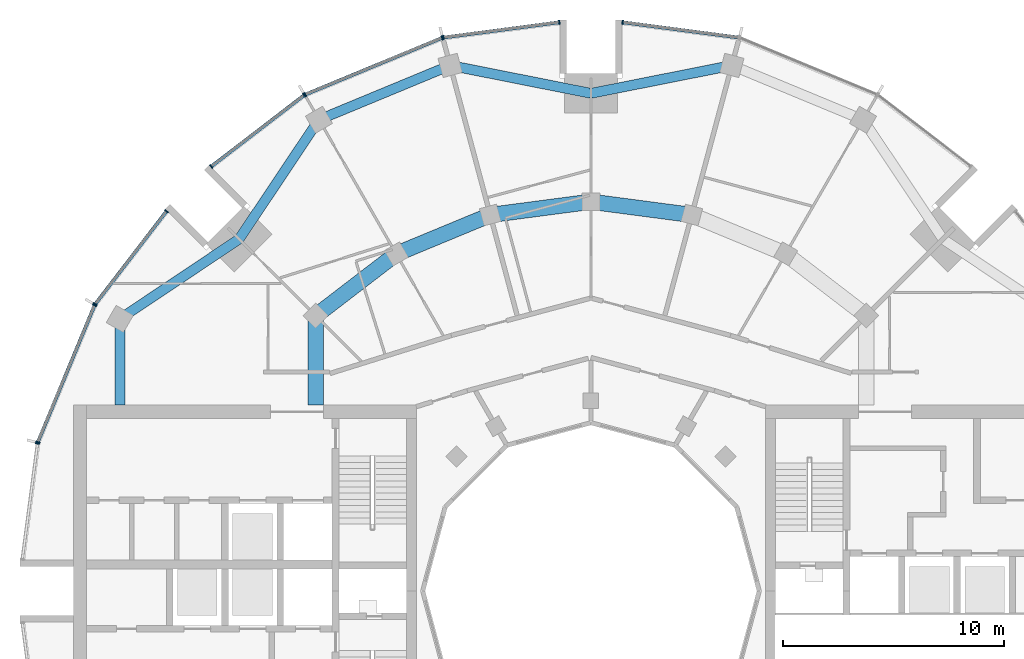
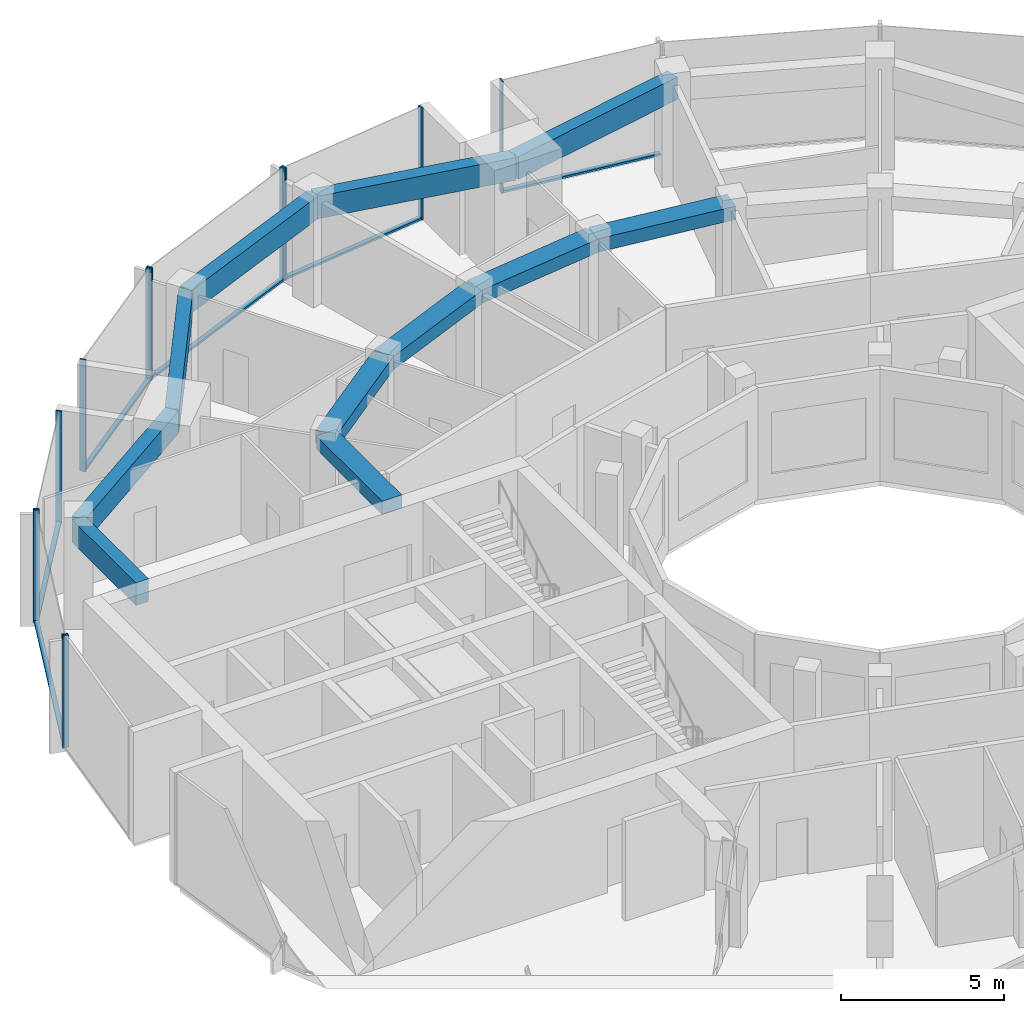
# One storey, part 5 of 15: 18 members, 11 beams, 7 elements without a shape of their own.
"""IFC4 building model written with IfcOpenShell, lengths in metres."""

from ifc_helpers import new_model, si_unit, direction, frame, origin, origin_2d, place, context, subcontext, project, spatial, rectangle, extrude, material, layer, layer_set, material_profile, profile_set, type_object, element, aggregate, save


model = new_model("IFC4")

# Units and contexts
model_context = context("Model", 3, precision=1e-05, world=origin(), true_north=direction((0.0, 1.0)))
body_context = subcontext(model_context, "Body", "Model", "MODEL_VIEW")
ifc_project = project(units=[si_unit("LENGTHUNIT", "METRE"), si_unit("AREAUNIT", "SQUARE_METRE"), si_unit("VOLUMEUNIT", "CUBIC_METRE"), si_unit("PLANEANGLEUNIT", "RADIAN"), si_unit("MASSUNIT", "GRAM", prefix="KILO")], contexts=[model_context])

# Site, building, storey
site_placement = place(None, origin())
site = spatial("IfcSite", under=ifc_project, at=site_placement, CompositionType="ELEMENT")
building_placement = place(site_placement, origin())
building = spatial("IfcBuilding", under=site, at=building_placement, Name="Torre Brocal", CompositionType="ELEMENT")
storey_placement = place(building_placement, frame((0.0, 0.0, 220.89990234375)))
storey = spatial("IfcBuildingStorey", under=building, at=storey_placement, Name="L51", CompositionType="ELEMENT", Elevation=220.89990234375)

# Curtain wall, member
ifc_material_1 = material(Name="Aluminium and glass", Category="aluminium")
ifc_layer_1 = layer(ifc_material_1, 0.199951171875)
ifc_layer_set_1 = layer_set([ifc_layer_1], Name="Aluminium and glass")
curtain_wall_type_1 = type_object("IfcCurtainWallType", Name="CW-1 CURTAIN WALL 4200 HIGH", PredefinedType="NOTDEFINED", material=ifc_layer_set_1)
curtain_wall_1_placement = place(storey_placement, origin())
curtain_wall_1 = element("IfcCurtainWall", 1, at=curtain_wall_1_placement, inside=storey, type_object=curtain_wall_type_1, Name="CW-1 RUN 6", PredefinedType="NOTDEFINED")
ifc_material_2 = material(Name="Aluminium, dark anodised", Category="aluminium")
ifc_material_profile_1 = material_profile(ifc_material_2, rectangle(XDim=0.199951171875, YDim=0.06005859375, at=origin_2d()), Name="CW-1 MULLION 60X200")
ifc_profile_set_1 = profile_set([ifc_material_profile_1], Name="Aluminium, dark anodised")
member_type_1 = type_object("IfcMemberType", Name="CW-1 MULLION 60X200", PredefinedType="MULLION", material=ifc_profile_set_1)
member_1_placement = place(storey_placement, frame((81.4296875, 100.7109375, 0.0), z_axis=(0.0, 0.0, 1.0), x_axis=(-0.13052619222, -0.991444861374, 0.0)))
member_1 = element("IfcMember", 2, at=member_1_placement, type_object=member_type_1, Name="CW1-5 mullion 2", PredefinedType="MULLION", context=body_context, shape_type="SweptSolid", body=[
    extrude(rectangle(XDim=0.199951171875, YDim=0.06005859375, at=origin_2d()), origin(), (0.0, 0.0, 1.0), 4.2001953125),
])

# Curtain wall, members
curtain_wall_2_placement = place(storey_placement, origin())
curtain_wall_2 = element("IfcCurtainWall", 3, at=curtain_wall_2_placement, inside=storey, type_object=curtain_wall_type_1, Name="CW-1 RUN 7", PredefinedType="NOTDEFINED")
member_2_placement = place(storey_placement, frame((78.5703125, 100.7109375, 0.0), z_axis=(0.0, 0.0, 1.0), x_axis=(0.13052619222, -0.991444861374, 0.0)))
member_2 = element("IfcMember", 4, at=member_2_placement, type_object=member_type_1, Name="CW1-5 mullion 1", PredefinedType="MULLION", context=body_context, shape_type="SweptSolid", body=[
    extrude(rectangle(XDim=0.199951171875, YDim=0.06005859375, at=origin_2d()), origin(), (0.0, 0.0, 1.0), 4.2001953125),
])
member_3_placement = place(storey_placement, frame((73.32666015625, 100.0205078125, 0.0), z_axis=(0.0, 0.0, 1.0), x_axis=(0.13052619222, -0.991444861374, 0.0)))
member_3 = element("IfcMember", 5, at=member_3_placement, type_object=member_type_1, Name="CW1-5 mullion 2", PredefinedType="MULLION", context=body_context, shape_type="SweptSolid", body=[
    extrude(rectangle(XDim=0.199951171875, YDim=0.06005859375, at=origin_2d()), origin(), (0.0, 0.0, 1.0), 4.2001953125),
])

curtain_wall_3_placement = place(storey_placement, origin())
curtain_wall_3 = element("IfcCurtainWall", 6, at=curtain_wall_3_placement, inside=storey, type_object=curtain_wall_type_1, Name="CW-1 RUN 8", PredefinedType="NOTDEFINED")
member_4_placement = place(storey_placement, frame((73.26904296875, 100.005126953125, 0.0), z_axis=(0.0, 0.0, 1.0), x_axis=(0.382683432333, -0.923879532525, 0.0)))
member_4 = element("IfcMember", 7, at=member_4_placement, type_object=member_type_1, Name="CW1-5 mullion 1", PredefinedType="MULLION", context=body_context, shape_type="SweptSolid", body=[
    extrude(rectangle(XDim=0.199951171875, YDim=0.06005859375, at=origin_2d()), origin(), (0.0, 0.0, 1.0), 4.2001953125),
])
member_5_placement = place(storey_placement, frame((67.078125, 97.440673828125, 0.0), z_axis=(0.0, 0.0, 1.0), x_axis=(0.382683432333, -0.923879532525, 0.0)))
member_5 = element("IfcMember", 8, at=member_5_placement, type_object=member_type_1, Name="CW1-5 mullion 2", PredefinedType="MULLION", context=body_context, shape_type="SweptSolid", body=[
    extrude(rectangle(XDim=0.199951171875, YDim=0.06005859375, at=origin_2d()), origin(), (0.0, 0.0, 1.0), 4.2001953125),
])

curtain_wall_4_placement = place(storey_placement, origin())
curtain_wall_4 = element("IfcCurtainWall", 9, at=curtain_wall_4_placement, inside=storey, type_object=curtain_wall_type_1, Name="CW-1 RUN 9", PredefinedType="NOTDEFINED")
member_6_placement = place(storey_placement, frame((67.026611328125, 97.4111328125, 0.0), z_axis=(0.0, 0.0, 1.0), x_axis=(0.60876142905, -0.793353340259, 0.0)))
member_6 = element("IfcMember", 10, at=member_6_placement, type_object=member_type_1, Name="CW1-5 mullion 1", PredefinedType="MULLION", context=body_context, shape_type="SweptSolid", body=[
    extrude(rectangle(XDim=0.199951171875, YDim=0.06005859375, at=origin_2d()), origin(), (0.0, 0.0, 1.0), 4.2001953125),
])
member_7_placement = place(storey_placement, frame((62.83056640625, 94.19140625, 0.0), z_axis=(0.0, 0.0, 1.0), x_axis=(0.60876142905, -0.793353340259, 0.0)))
member_7 = element("IfcMember", 11, at=member_7_placement, type_object=member_type_1, Name="CW1-5 mullion 2", PredefinedType="MULLION", context=body_context, shape_type="SweptSolid", body=[
    extrude(rectangle(XDim=0.199951171875, YDim=0.06005859375, at=origin_2d()), origin(), (0.0, 0.0, 1.0), 4.2001953125),
])

curtain_wall_5_placement = place(storey_placement, origin())
curtain_wall_5 = element("IfcCurtainWall", 12, at=curtain_wall_5_placement, inside=storey, type_object=curtain_wall_type_1, Name="CW-1 RUN 10", PredefinedType="NOTDEFINED")
member_8_placement = place(storey_placement, frame((60.80859375, 92.16943359375, 0.0), z_axis=(0.0, 0.0, 1.0), x_axis=(0.793353340259, -0.60876142905, 0.0)))
member_8 = element("IfcMember", 13, at=member_8_placement, type_object=member_type_1, Name="CW1-5 mullion 1", PredefinedType="MULLION", context=body_context, shape_type="SweptSolid", body=[
    extrude(rectangle(XDim=0.199951171875, YDim=0.06005859375, at=origin_2d()), origin(), (0.0, 0.0, 1.0), 4.2001953125),
])
member_9_placement = place(storey_placement, frame((57.5888671875, 87.973388671875, 0.0), z_axis=(0.0, 0.0, 1.0), x_axis=(0.793353340259, -0.60876142905, 0.0)))
member_9 = element("IfcMember", 14, at=member_9_placement, type_object=member_type_1, Name="CW1-5 mullion 2", PredefinedType="MULLION", context=body_context, shape_type="SweptSolid", body=[
    extrude(rectangle(XDim=0.199951171875, YDim=0.06005859375, at=origin_2d()), origin(), (0.0, 0.0, 1.0), 4.2001953125),
])

curtain_wall_6_placement = place(storey_placement, origin())
curtain_wall_6 = element("IfcCurtainWall", 15, at=curtain_wall_6_placement, inside=storey, type_object=curtain_wall_type_1, Name="CW-1 RUN 11", PredefinedType="NOTDEFINED")
member_10_placement = place(storey_placement, frame((57.559326171875, 87.921875, 0.0), z_axis=(0.0, 0.0, 1.0), x_axis=(0.923879532525, -0.382683432333, 0.0)))
member_10 = element("IfcMember", 16, at=member_10_placement, type_object=member_type_1, Name="CW1-5 mullion 1", PredefinedType="MULLION", context=body_context, shape_type="SweptSolid", body=[
    extrude(rectangle(XDim=0.199951171875, YDim=0.06005859375, at=origin_2d()), origin(), (0.0, 0.0, 1.0), 4.2001953125),
])
member_11_placement = place(storey_placement, frame((54.994873046875, 81.73095703125, 0.0), z_axis=(0.0, 0.0, 1.0), x_axis=(0.923879532525, -0.382683432333, 0.0)))
member_11 = element("IfcMember", 17, at=member_11_placement, type_object=member_type_1, Name="CW1-5 mullion 2", PredefinedType="MULLION", context=body_context, shape_type="SweptSolid", body=[
    extrude(rectangle(XDim=0.199951171875, YDim=0.06005859375, at=origin_2d()), origin(), (0.0, 0.0, 1.0), 4.2001953125),
])

# Member
ifc_material_3 = material(Name="Aluminium, dark anodised", Category="aluminium")
ifc_material_profile_2 = material_profile(ifc_material_3, rectangle(XDim=0.159912109375, YDim=0.080078125, at=origin_2d()), Name="CW-1 TRANSOM 160X80")
ifc_profile_set_2 = profile_set([ifc_material_profile_2], Name="Aluminium, dark anodised")
member_type_2 = type_object("IfcMemberType", Name="CW-1 TRANSOM 160X80", PredefinedType="USERDEFINED", material=ifc_profile_set_2)
member_12_placement = place(storey_placement, frame((86.643798828125, 100.0244140625, 0.0400390625), z_axis=(-0.991442690863, 0.130542677827, 0.0), x_axis=(-0.130542677827, -0.991442690863, 0.0)))
member_12 = element("IfcMember", 18, at=member_12_placement, type_object=member_type_2, Name="CW1-5 transom 1.1", ObjectType="TRANSOM", PredefinedType="USERDEFINED", context=body_context, shape_type="SweptSolid", body=[
    extrude(rectangle(XDim=0.159912109375, YDim=0.080078125, at=origin_2d()), origin(), (0.0, 0.0, 1.0), 5.22900390625),
])

aggregate(curtain_wall_1, [member_1, member_12])

member_13_placement = place(storey_placement, frame((78.54052734375, 100.70703125, 0.0400390625), z_axis=(-0.991442690863, -0.130542677827, 0.0), x_axis=(0.130542677827, -0.991442690863, 0.0)))
member_13 = element("IfcMember", 19, at=member_13_placement, type_object=member_type_2, Name="CW1-5 transom 1.1", ObjectType="TRANSOM", PredefinedType="USERDEFINED", context=body_context, shape_type="SweptSolid", body=[
    extrude(rectangle(XDim=0.159912109375, YDim=0.080078125, at=origin_2d()), origin(), (0.0, 0.0, 1.0), 5.22900390625),
])

aggregate(curtain_wall_2, [member_2, member_3, member_13])

member_14_placement = place(storey_placement, frame((73.241455078125, 99.99365234375, 0.0400390625), z_axis=(-0.923887344364, -0.38266457234, 0.0), x_axis=(0.38266457234, -0.923887344364, 0.0)))
member_14 = element("IfcMember", 20, at=member_14_placement, type_object=member_type_2, Name="CW1-5 transom 1.1", ObjectType="TRANSOM", PredefinedType="USERDEFINED", context=body_context, shape_type="SweptSolid", body=[
    extrude(rectangle(XDim=0.159912109375, YDim=0.080078125, at=origin_2d()), origin(), (0.0, 0.0, 1.0), 6.640869140625),
])

aggregate(curtain_wall_3, [member_4, member_5, member_14])

member_15_placement = place(storey_placement, frame((67.0029296875, 97.392822265625, 0.0400390625), z_axis=(-0.79336281513, -0.60874908096, 0.0), x_axis=(0.60874908096, -0.79336281513, 0.0)))
member_15 = element("IfcMember", 21, at=member_15_placement, type_object=member_type_2, Name="CW1-5 transom 1.1", ObjectType="TRANSOM", PredefinedType="USERDEFINED", context=body_context, shape_type="SweptSolid", body=[
    extrude(rectangle(XDim=0.159912109375, YDim=0.080078125, at=origin_2d()), origin(), (0.0, 0.0, 1.0), 5.22900390625),
])

aggregate(curtain_wall_4, [member_6, member_7, member_15])

member_16_placement = place(storey_placement, frame((60.790283203125, 92.1455078125, 0.0400390625), z_axis=(-0.60874908096, -0.79336281513, 0.0), x_axis=(0.79336281513, -0.60874908096, 0.0)))
member_16 = element("IfcMember", 22, at=member_16_placement, type_object=member_type_2, Name="CW1-5 transom 1.1", ObjectType="TRANSOM", PredefinedType="USERDEFINED", context=body_context, shape_type="SweptSolid", body=[
    extrude(rectangle(XDim=0.159912109375, YDim=0.080078125, at=origin_2d()), origin(), (0.0, 0.0, 1.0), 5.22900390625),
])

aggregate(curtain_wall_5, [member_8, member_9, member_16])

member_17_placement = place(storey_placement, frame((57.547607421875, 87.89404296875, 0.0400390625), z_axis=(-0.38266457234, -0.923887344364, 0.0), x_axis=(0.923887344364, -0.38266457234, 0.0)))
member_17 = element("IfcMember", 23, at=member_17_placement, type_object=member_type_2, Name="CW1-5 transom 1.1", ObjectType="TRANSOM", PredefinedType="USERDEFINED", context=body_context, shape_type="SweptSolid", body=[
    extrude(rectangle(XDim=0.159912109375, YDim=0.080078125, at=origin_2d()), origin(), (0.0, 0.0, 1.0), 6.640869140625),
])

aggregate(curtain_wall_6, [member_10, member_11, member_17])

# Curtain wall, member
ifc_material_4 = material(Name="Aluminium and glass", Category="aluminium")
ifc_layer_2 = layer(ifc_material_4, 0.199951171875)
ifc_layer_set_2 = layer_set([ifc_layer_2], Name="Aluminium and glass")
curtain_wall_type_2 = type_object("IfcCurtainWallType", Name="CW-1B CURTAIN WALL 4200 HIGH", PredefinedType="NOTDEFINED", material=ifc_layer_set_2)
curtain_wall_7_placement = place(storey_placement, origin())
curtain_wall_7 = element("IfcCurtainWall", 24, at=curtain_wall_7_placement, inside=storey, type_object=curtain_wall_type_2, Name="CW-1B RUN 12", PredefinedType="NOTDEFINED")
ifc_material_5 = material(Name="Aluminium, dark anodised", Category="aluminium")
ifc_material_profile_3 = material_profile(ifc_material_5, rectangle(XDim=0.199951171875, YDim=0.06005859375, at=origin_2d()), Name="CW-1B MULLION 60X200")
ifc_profile_set_3 = profile_set([ifc_material_profile_3], Name="Aluminium, dark anodised")
member_type_3 = type_object("IfcMemberType", Name="CW-1B MULLION 60X200", PredefinedType="MULLION", material=ifc_profile_set_3)
member_18_placement = place(storey_placement, frame((54.9794921875, 81.67333984375, 0.0), z_axis=(0.0, 0.0, 1.0), x_axis=(0.991444861374, -0.13052619222, 0.0)))
member_18 = element("IfcMember", 25, at=member_18_placement, type_object=member_type_3, Name="CW1B-5 mullion 1", PredefinedType="MULLION", context=body_context, shape_type="SweptSolid", body=[
    extrude(rectangle(XDim=0.199951171875, YDim=0.06005859375, at=origin_2d()), origin(), (0.0, 0.0, 1.0), 4.2001953125),
])
aggregate(curtain_wall_7, [member_18])

# Beams
ifc_material_6 = material(Name="Concrete C50", Category="concrete")
ifc_material_profile_4 = material_profile(ifc_material_6, rectangle(XDim=0.699951171875, YDim=0.5, at=origin_2d()), Name="RC 700X500")
ifc_profile_set_4 = profile_set([ifc_material_profile_4], Name="Concrete C50")
beam_type_1 = type_object("IfcBeamType", Name="RC BEAM 700X500 C50 TOP 3880", PredefinedType="BEAM", material=ifc_profile_set_4)
for number, where, z_axis, x_axis, name in (
    (26, (84.55517578125, 92.000244140625, 3.630126953125), (-0.991440544449, 0.130558978332, 0.0), (-0.130558978332, -0.991440544449, 0.0), "Beam BT-37"),
    (27, (80.0, 92.60009765625, 3.630126953125), (-0.991440544449, -0.130558978332, 0.0), (0.130558978332, -0.991440544449, 0.0), "Beam BT-37"),
):
    element("IfcBeam", number, at=place(storey_placement, frame(where, z_axis=z_axis, x_axis=x_axis)), inside=storey, type_object=beam_type_1, Name=name, PredefinedType="BEAM", context=body_context, shape_type="SweptSolid", body=[
        extrude(rectangle(XDim=0.699951171875, YDim=0.5, at=origin_2d()), origin(), (0.0, 0.0, 1.0), 4.594482421875),
    ])
beam_1_placement = place(storey_placement, frame((75.44482421875, 92.000244140625, 3.630126953125), z_axis=(-0.923878240166, -0.382686552348, 0.0), x_axis=(0.382686552348, -0.923878240166, 0.0)))
element("IfcBeam", 28, at=beam_1_placement, inside=storey, type_object=beam_type_1, Name="Beam BT-37", PredefinedType="BEAM", context=body_context, shape_type="SweptSolid", body=[
    extrude(rectangle(XDim=0.699951171875, YDim=0.5, at=origin_2d()), origin(), (0.0, 0.0, 1.0), 4.5947265625),
])
beam_2_placement = place(storey_placement, frame((71.199951171875, 90.241943359375, 3.630126953125), z_axis=(-0.793358265959, -0.6087550097, 0.0), x_axis=(0.6087550097, -0.793358265959, 0.0)))
element("IfcBeam", 29, at=beam_2_placement, inside=storey, type_object=beam_type_1, Name="Beam BT-37", PredefinedType="BEAM", context=body_context, shape_type="SweptSolid", body=[
    extrude(rectangle(XDim=0.699951171875, YDim=0.5, at=origin_2d()), origin(), (0.0, 0.0, 1.0), 4.594482421875),
])
beam_3_placement = place(storey_placement, frame((67.554931640625, 87.445068359375, 3.630126953125), z_axis=(0.0, -1.0, 0.0), x_axis=(1.0, 0.0, 0.0)))
element("IfcBeam", 30, at=beam_3_placement, inside=storey, type_object=beam_type_1, Name="Beam BT-37", PredefinedType="BEAM", context=body_context, shape_type="SweptSolid", body=[
    extrude(rectangle(XDim=0.699951171875, YDim=0.5, at=origin_2d()), origin(), (0.0, 0.0, 1.0), 4.045166015625),
])
ifc_material_7 = material(Name="Concrete C50", Category="concrete")
ifc_material_profile_5 = material_profile(ifc_material_7, rectangle(XDim=0.449951171875, YDim=0.85009765625, at=origin_2d()), Name="RC 450X850")
ifc_profile_set_5 = profile_set([ifc_material_profile_5], Name="Concrete C50")
beam_type_2 = type_object("IfcBeamType", Name="RC SPANDREL BEAM 450X850 C50 TOP 3880", PredefinedType="SPANDREL", material=ifc_profile_set_5)
for number, where, z_axis, x_axis, name in (
    (31, (86.366943359375, 98.76171875, 3.455078125), (-0.980924907484, -0.194387051723, 0.0), (0.194387051723, -0.980924907484, 0.0), "Beam BT-38"),
    (32, (80.0, 97.5, 3.455078125), (-0.980924907484, 0.194387051723, 0.0), (-0.194387051723, -0.980924907484, 0.0), "Beam BT-38"),
):
    element("IfcBeam", number, at=place(storey_placement, frame(where, z_axis=z_axis, x_axis=x_axis)), inside=storey, type_object=beam_type_2, Name=name, PredefinedType="SPANDREL", context=body_context, shape_type="SweptSolid", body=[
        extrude(rectangle(XDim=0.449951171875, YDim=0.85009765625, at=origin_2d()), origin(), (0.0, 0.0, 1.0), 6.49072265625),
    ])
beam_4_placement = place(storey_placement, frame((73.633056640625, 98.76171875, 3.455078125), z_axis=(-0.923882462513, -0.382676358639, 0.0), x_axis=(0.382676358639, -0.923882462513, 0.0)))
element("IfcBeam", 33, at=beam_4_placement, inside=storey, type_object=beam_type_2, Name="Beam BT-38", PredefinedType="SPANDREL", context=body_context, shape_type="SweptSolid", body=[
    extrude(rectangle(XDim=0.449951171875, YDim=0.85009765625, at=origin_2d()), origin(), (0.0, 0.0, 1.0), 6.421875),
])
for number, where, z_axis, x_axis, name in (
    (34, (67.699951171875, 96.30419921875, 3.455078125), (-0.556157602282, -0.831076844476, 0.0), (0.831076844476, -0.556157602282, 0.0), "Beam BT-38"),
    (35, (64.090087890625, 90.909912109375, 3.455078125), (-0.831076844476, -0.556157602282, 0.0), (0.556157602282, -0.831076844476, 0.0), "Beam BT-38"),
):
    element("IfcBeam", number, at=place(storey_placement, frame(where, z_axis=z_axis, x_axis=x_axis)), inside=storey, type_object=beam_type_2, Name=name, PredefinedType="SPANDREL", context=body_context, shape_type="SweptSolid", body=[
        extrude(rectangle(XDim=0.449951171875, YDim=0.85009765625, at=origin_2d()), origin(), (0.0, 0.0, 1.0), 6.49072265625),
    ])
beam_5_placement = place(storey_placement, frame((58.69580078125, 87.300048828125, 3.455078125), z_axis=(0.0, -1.0, 0.0), x_axis=(1.0, 0.0, 0.0)))
element("IfcBeam", 36, at=beam_5_placement, inside=storey, type_object=beam_type_2, Name="Beam BT-38", PredefinedType="SPANDREL", context=body_context, shape_type="SweptSolid", body=[
    extrude(rectangle(XDim=0.449951171875, YDim=0.85009765625, at=origin_2d()), origin(), (0.0, 0.0, 1.0), 3.900146484375),
])

save(model, "model.ifc")
